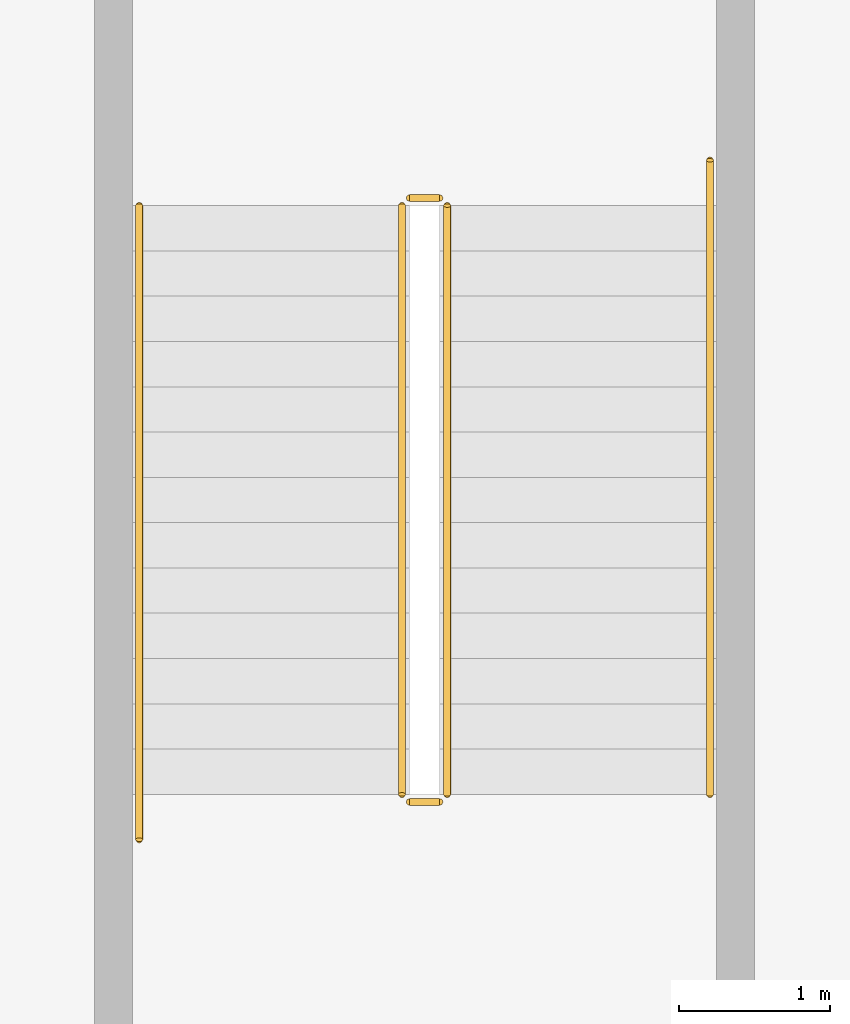
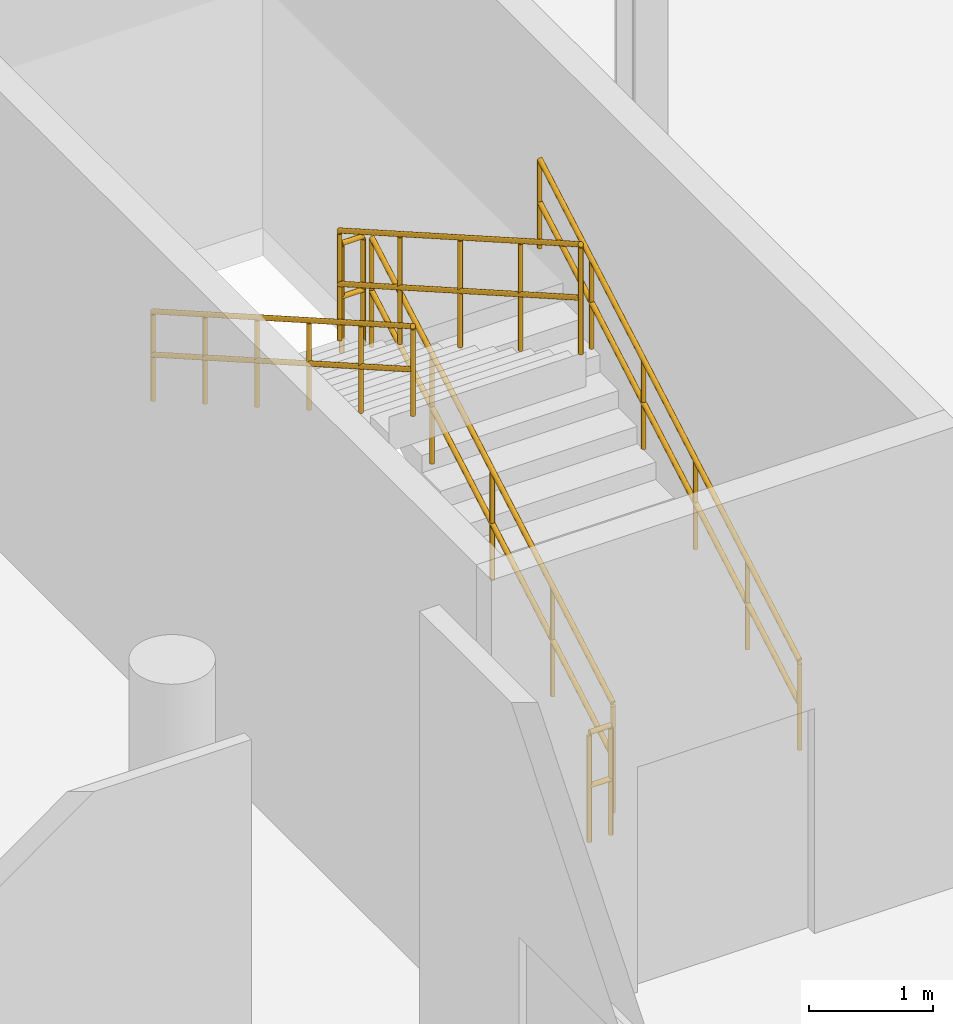
# One storey, part 92 of 93: 6 railings.
"""IFC4 building model written with IfcOpenShell, lengths in metres."""

from ifc_helpers import new_model, si_unit, direction, frame, origin, origin_2d, place, context, subcontext, project, spatial, circle, extrude, material, type_object, element, save


model = new_model("IFC4")

# Units and contexts
model_context = context("Model", 3, precision=1e-05, world=origin(), true_north=direction((0.0, 1.0)))
body_context = subcontext(model_context, "Body", "Model", "MODEL_VIEW")
ifc_project = project(units=[si_unit("LENGTHUNIT", "METRE"), si_unit("AREAUNIT", "SQUARE_METRE"), si_unit("VOLUMEUNIT", "CUBIC_METRE"), si_unit("PLANEANGLEUNIT", "RADIAN"), si_unit("MASSUNIT", "GRAM", prefix="KILO")], contexts=[model_context])

# Site, building, storey
site_placement = place(None, origin())
site = spatial("IfcSite", under=ifc_project, at=site_placement, CompositionType="ELEMENT")
building_placement = place(site_placement, origin())
building = spatial("IfcBuilding", under=site, at=building_placement, Name="Marnock Terrace Opera House", CompositionType="ELEMENT")
storey_placement = place(building_placement, frame((0.0, 0.0, 5.39990234375)))
storey = spatial("IfcBuildingStorey", under=building, at=storey_placement, Name="L01", CompositionType="ELEMENT", Elevation=5.39990234375)

# Railings
ifc_material = material(Name="Architectural bronze balustrade")
railing_type_1 = type_object("IfcRailingType", Name="RL-GUARD-1100", PredefinedType="GUARDRAIL", material=ifc_material)
railing_1_placement = place(storey_placement, frame((141.1298828125, 25.760009765625, 0.171630859375)))
element("IfcRailing", 1, at=railing_1_placement, inside=storey, type_object=railing_type_1, Name="L01 ST-06 stair guard 1", PredefinedType="GUARDRAIL", context=body_context, shape_type="SweptSolid", body=[
    extrude(circle(Radius=0.02392578125, at=origin_2d()), frame((0.0, 0.0, 1.076171875), z_axis=(0.0, 0.868243142124, 0.496138938357), x_axis=(-1.0, 0.0, 0.0)), (0.0, 0.0, 1.0), 4.49169921875),
    extrude(circle(Radius=0.02392578125, at=origin_2d()), frame((0.0, 0.0, 0.550048828125), z_axis=(0.0, 0.868243142124, 0.496138938357), x_axis=(-1.0, 0.0, 0.0)), (0.0, 0.0, 1.0), 4.49169921875),
    extrude(circle(Radius=0.02099609375, at=origin_2d()), origin(), (0.0, 0.0, 1.0), 1.052001953125),
    extrude(circle(Radius=0.02099609375, at=origin_2d()), frame((0.0, 0.97509765625, 0.55712890625)), (0.0, 0.0, 1.0), 1.052001953125),
    extrude(circle(Radius=0.02099609375, at=origin_2d()), frame((0.0, 1.949951171875, 1.1142578125)), (0.0, 0.0, 1.0), 1.052001953125),
    extrude(circle(Radius=0.02099609375, at=origin_2d()), frame((0.0, 2.9248046875, 1.67138671875)), (0.0, 0.0, 1.0), 1.052001953125),
    extrude(circle(Radius=0.02099609375, at=origin_2d()), frame((0.0, 3.89990234375, 2.228515625)), (0.0, 0.0, 1.0), 1.052001953125),
])
railing_2_placement = place(storey_placement, frame((141.080078125, 29.7099609375, 2.400146484375)))
element("IfcRailing", 2, at=railing_2_placement, inside=storey, type_object=railing_type_1, Name="L01 ST-06 stair guard 2", PredefinedType="GUARDRAIL", context=body_context, shape_type="SweptSolid", body=[
    extrude(circle(Radius=0.02392578125, at=origin_2d()), frame((0.0, 0.0, 1.076171875), z_axis=(-1.0, 0.0, 0.0), x_axis=(0.0, -1.0, 0.0)), (0.0, 0.0, 1.0), 0.2001953125),
    extrude(circle(Radius=0.02392578125, at=origin_2d()), frame((0.0, 0.0, 0.550048828125), z_axis=(-1.0, 0.0, 0.0), x_axis=(0.0, -1.0, 0.0)), (0.0, 0.0, 1.0), 0.2001953125),
    extrude(circle(Radius=0.02099609375, at=origin_2d()), origin(), (0.0, 0.0, 1.0), 1.052001953125),
    extrude(circle(Radius=0.02099609375, at=origin_2d()), frame((-0.2001953125, 0.0, 0.0)), (0.0, 0.0, 1.0), 1.052001953125),
])
railing_3_placement = place(storey_placement, frame((140.830078125, 29.659912109375, 2.571533203125)))
element("IfcRailing", 3, at=railing_3_placement, inside=storey, type_object=railing_type_1, Name="L01 ST-06 stair guard 3", PredefinedType="GUARDRAIL", context=body_context, shape_type="SweptSolid", body=[
    extrude(circle(Radius=0.02392578125, at=origin_2d()), frame((0.0, 0.0, 1.076171875), z_axis=(0.0, -0.868243142124, 0.496138938357), x_axis=(1.0, 0.0, 0.0)), (0.0, 0.0, 1.0), 4.49169921875),
    extrude(circle(Radius=0.02392578125, at=origin_2d()), frame((0.0, 0.0, 0.550048828125), z_axis=(0.0, -0.868243142124, 0.496138938357), x_axis=(1.0, 0.0, 0.0)), (0.0, 0.0, 1.0), 4.49169921875),
    extrude(circle(Radius=0.02099609375, at=origin_2d()), origin(), (0.0, 0.0, 1.0), 1.052001953125),
    extrude(circle(Radius=0.02099609375, at=origin_2d()), frame((0.0, -0.97509765625, 0.55712890625)), (0.0, 0.0, 1.0), 1.052001953125),
    extrude(circle(Radius=0.02099609375, at=origin_2d()), frame((0.0, -1.949951171875, 1.1142578125)), (0.0, 0.0, 1.0), 1.052001953125),
    extrude(circle(Radius=0.02099609375, at=origin_2d()), frame((0.0, -2.9248046875, 1.67138671875)), (0.0, 0.0, 1.0), 1.052001953125),
    extrude(circle(Radius=0.02099609375, at=origin_2d()), frame((0.0, -3.89990234375, 2.228515625)), (0.0, 0.0, 1.0), 1.052001953125),
])
railing_4_placement = place(storey_placement, frame((141.080078125, 25.7099609375, 0.0)))
element("IfcRailing", 4, at=railing_4_placement, inside=storey, type_object=railing_type_1, Name="L01 ST-06 stair guard 4", PredefinedType="GUARDRAIL", context=body_context, shape_type="SweptSolid", body=[
    extrude(circle(Radius=0.02392578125, at=origin_2d()), frame((0.0, 0.0, 1.076171875), z_axis=(-1.0, 0.0, 0.0), x_axis=(0.0, -1.0, 0.0)), (0.0, 0.0, 1.0), 0.2001953125),
    extrude(circle(Radius=0.02392578125, at=origin_2d()), frame((0.0, 0.0, 0.550048828125), z_axis=(-1.0, 0.0, 0.0), x_axis=(0.0, -1.0, 0.0)), (0.0, 0.0, 1.0), 0.2001953125),
    extrude(circle(Radius=0.02099609375, at=origin_2d()), origin(), (0.0, 0.0, 1.0), 1.052001953125),
    extrude(circle(Radius=0.02099609375, at=origin_2d()), frame((-0.2001953125, 0.0, 0.0)), (0.0, 0.0, 1.0), 1.052001953125),
])
railing_type_2 = type_object("IfcRailingType", Name="RL-HAND-900", PredefinedType="HANDRAIL", material=ifc_material)
railing_5_placement = place(storey_placement, frame((142.8701171875, 25.760009765625, 0.18359375)))
element("IfcRailing", 5, at=railing_5_placement, inside=storey, type_object=railing_type_2, Name="L01 ST-06 stair handrail 1", PredefinedType="HANDRAIL", context=body_context, shape_type="SweptSolid", body=[
    extrude(circle(Radius=0.02392578125, at=origin_2d()), frame((0.0, 0.0, 0.8759765625), z_axis=(0.0, 0.868249353848, 0.496128067682), x_axis=(-1.0, 0.0, 0.0)), (0.0, 0.0, 1.0), 4.837158203125),
    extrude(circle(Radius=0.02392578125, at=origin_2d()), frame((0.0, 0.0, 0.449951171875), z_axis=(0.0, 0.868249353848, 0.496128067682), x_axis=(-1.0, 0.0, 0.0)), (0.0, 0.0, 1.0), 4.837158203125),
    extrude(circle(Radius=0.02099609375, at=origin_2d()), origin(), (0.0, 0.0, 1.0), 0.851806640625),
    extrude(circle(Radius=0.02099609375, at=origin_2d()), frame((0.0, 0.840087890625, 0.47998046875)), (0.0, 0.0, 1.0), 0.851806640625),
    extrude(circle(Radius=0.02099609375, at=origin_2d()), frame((0.0, 1.679931640625, 0.9599609375)), (0.0, 0.0, 1.0), 0.851806640625),
    extrude(circle(Radius=0.02099609375, at=origin_2d()), frame((0.0, 2.52001953125, 1.43994140625)), (0.0, 0.0, 1.0), 0.851806640625),
    extrude(circle(Radius=0.02099609375, at=origin_2d()), frame((0.0, 3.35986328125, 1.919921875)), (0.0, 0.0, 1.0), 0.851806640625),
    extrude(circle(Radius=0.02099609375, at=origin_2d()), frame((0.0, 4.199951171875, 2.39990234375)), (0.0, 0.0, 1.0), 0.851806640625),
])
railing_6_placement = place(storey_placement, frame((139.090087890625, 29.659912109375, 2.58349609375)))
element("IfcRailing", 6, at=railing_6_placement, inside=storey, type_object=railing_type_2, Name="L01 ST-06 stair handrail 2", PredefinedType="HANDRAIL", context=body_context, shape_type="SweptSolid", body=[
    extrude(circle(Radius=0.02392578125, at=origin_2d()), frame((0.0, 0.0, 0.8759765625), z_axis=(0.0, -0.868227612608, 0.496166114024), x_axis=(1.0, 0.0, 0.0)), (0.0, 0.0, 1.0), 4.83740234375),
    extrude(circle(Radius=0.02392578125, at=origin_2d()), frame((0.0, 0.0, 0.449951171875), z_axis=(0.0, -0.868227612608, 0.496166114024), x_axis=(1.0, 0.0, 0.0)), (0.0, 0.0, 1.0), 4.83740234375),
    extrude(circle(Radius=0.02099609375, at=origin_2d()), origin(), (0.0, 0.0, 1.0), 0.851806640625),
    extrude(circle(Radius=0.02099609375, at=origin_2d()), frame((0.0, -0.840087890625, 0.47998046875)), (0.0, 0.0, 1.0), 0.851806640625),
    extrude(circle(Radius=0.02099609375, at=origin_2d()), frame((0.0, -1.679931640625, 0.9599609375)), (0.0, 0.0, 1.0), 0.851806640625),
    extrude(circle(Radius=0.02099609375, at=origin_2d()), frame((0.0, -2.52001953125, 1.440185546875)), (0.0, 0.0, 1.0), 0.851806640625),
    extrude(circle(Radius=0.02099609375, at=origin_2d()), frame((0.0, -3.35986328125, 1.920166015625)), (0.0, 0.0, 1.0), 0.851806640625),
    extrude(circle(Radius=0.02099609375, at=origin_2d()), frame((0.0, -4.199951171875, 2.400146484375)), (0.0, 0.0, 1.0), 0.851806640625),
])

save(model, "model.ifc")
